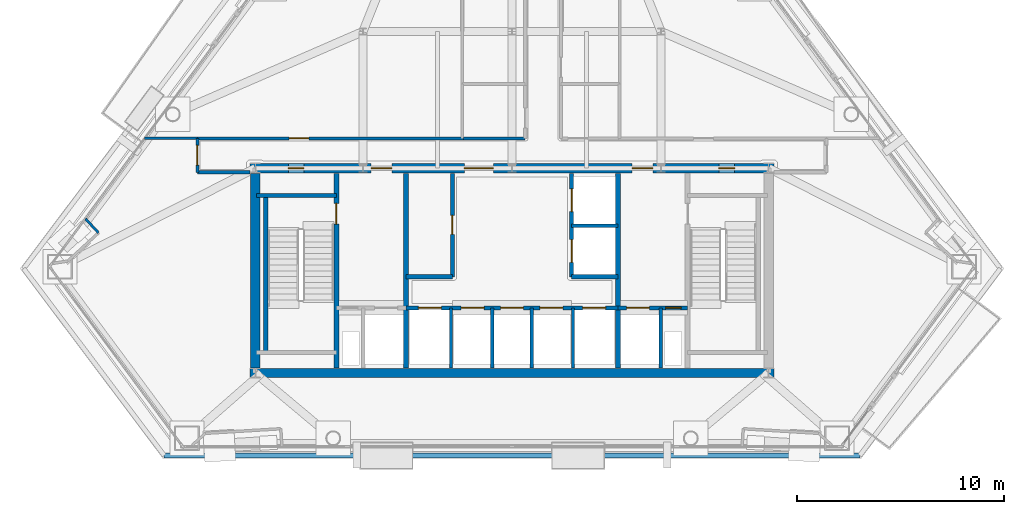
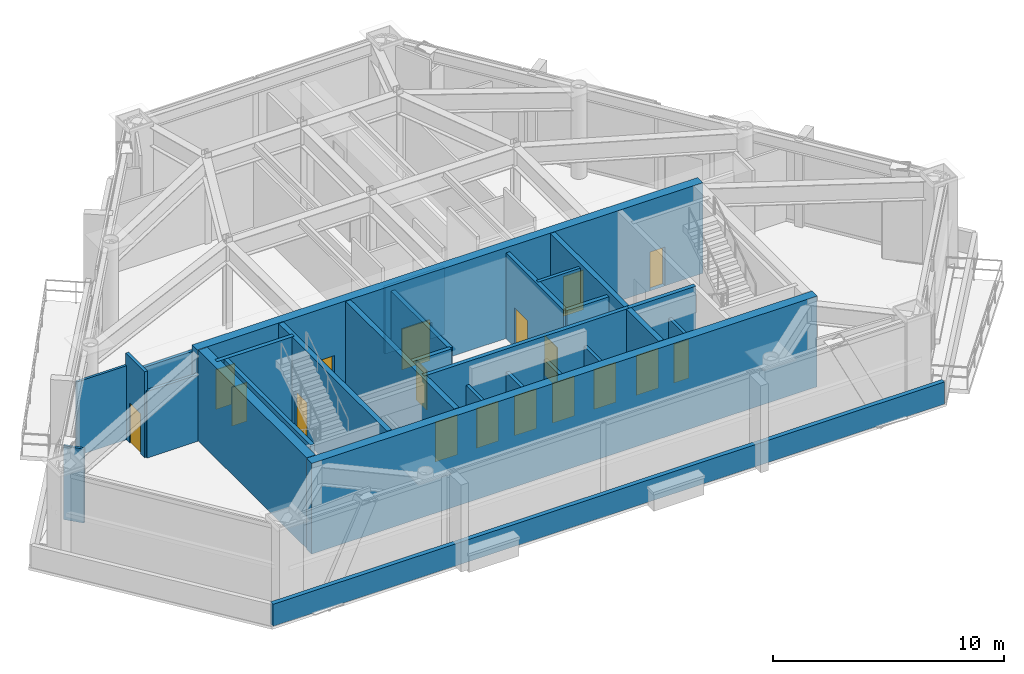
# One storey, part 5 of 9: 27 walls, 18 doors, 18 openings.
"""IFC4 building model written with IfcOpenShell, lengths in metres."""

from ifc_helpers import new_model, si_unit, direction, frame, frame_2d, origin, place, context, subcontext, project, spatial, rectangle, extrude, material, layer, layer_set, type_object, element, fill, save


model = new_model("IFC4")

# Units and contexts
model_context = context("Model", 3, precision=1e-05, world=origin(), true_north=direction((0.0, 1.0)))
body_context = subcontext(model_context, "Body", "Model", "MODEL_VIEW")
ifc_project = project(units=[si_unit("LENGTHUNIT", "METRE"), si_unit("AREAUNIT", "SQUARE_METRE"), si_unit("VOLUMEUNIT", "CUBIC_METRE"), si_unit("PLANEANGLEUNIT", "RADIAN"), si_unit("MASSUNIT", "GRAM", prefix="KILO")], contexts=[model_context])

# Site, building, storey
site_placement = place(None, origin())
site = spatial("IfcSite", under=ifc_project, at=site_placement, CompositionType="ELEMENT")
building_placement = place(site_placement, origin())
building = spatial("IfcBuilding", under=site, at=building_placement, Name="Talgorran Terracotta Tower", CompositionType="ELEMENT")
storey_placement = place(building_placement, frame((0.0, 0.0, 94.800048828125)))
storey = spatial("IfcBuildingStorey", under=building, at=storey_placement, Name="L24", CompositionType="ELEMENT", Elevation=94.800048828125)

# Walls
ifc_material_1 = material(Name="Concrete C50/60", Category="concrete")
ifc_layer_1 = layer(ifc_material_1, 0.199951171875, Name="WT_CORE_200")
ifc_layer_set_1 = layer_set([ifc_layer_1], Name="Concrete C50/60")
wall_type_1 = type_object("IfcWallType", Name="WT_CORE_200", PredefinedType="SOLIDWALL", material=ifc_layer_set_1)
wall_1_placement = place(storey_placement, frame((-12.35009765625, -5.52001953125, 0.0), z_axis=(0.0, 0.0, 1.0), x_axis=(1.0, 0.0, 0.0)))
element("IfcWall", 1, at=wall_1_placement, inside=storey, type_object=wall_type_1, Name="WL-L24-CW-ST1-N", PredefinedType="SOLIDWALL", context=body_context, shape_type="SweptSolid", body=[
    extrude(rectangle(XDim=3.8701171875, YDim=0.199951171875, at=frame_2d((1.93505859375, 0.0))), origin(), (0.0, 0.0, 1.0), 4.800048828125),
])
wall_2_placement = place(storey_placement, frame((-11.89990234375, -13.10009765625, 0.0), z_axis=(0.0, 0.0, 1.0), x_axis=(0.0, 1.0, 0.0)))
element("IfcWall", 2, at=wall_2_placement, inside=storey, type_object=wall_type_1, Name="WL-L24-CW-ST1-W", PredefinedType="SOLIDWALL", context=body_context, shape_type="SweptSolid", body=[
    extrude(rectangle(XDim=7.580078125, YDim=0.199951171875, at=frame_2d((3.7900390625, 0.0))), origin(), (0.0, 0.0, 1.0), 4.800048828125),
])

# Wall, openings, doors
wall_3_placement = place(storey_placement, frame((-5.1201171875, -10.949951171875, 0.0), z_axis=(0.0, 0.0, 1.0), x_axis=(1.0, 0.0, 0.0)))
wall_3 = element("IfcWall", 3, at=wall_3_placement, inside=storey, type_object=wall_type_1, Name="WL-L24-CW-H-SBC", PredefinedType="SOLIDWALL", context=body_context, shape_type="SweptSolid", body=[
    extrude(rectangle(XDim=10.240234375, YDim=0.199951171875, at=frame_2d((5.1201171875, 0.0))), origin(), (0.0, 0.0, 1.0), 4.800048828125),
])
opening_1_placement = place(wall_3_placement, frame((0.60009765625, 0.0, 0.0)))
opening_1 = element("IfcOpeningElement", 4, at=opening_1_placement, cuts=wall_3, Name="Opening LD-OB1", PredefinedType="OPENING", context=body_context, shape_type="SweptSolid", body=[
    extrude(rectangle(XDim=1.10609765625, YDim=2.10409765625, at=frame_2d((0.550048828125, 1.052001953125))), frame((0.0, 0.10986328125, 0.0), z_axis=(0.0, -1.0, 0.0), x_axis=(1.0, 0.0, 0.0)), (0.0, 0.0, 1.0), 0.219970703125),
])
opening_2_placement = place(wall_3_placement, frame((2.669921875, 0.0, 0.0)))
opening_2 = element("IfcOpeningElement", 5, at=opening_2_placement, cuts=wall_3, Name="Opening LD-PLH1", PredefinedType="OPENING", context=body_context, shape_type="SweptSolid", body=[
    extrude(rectangle(XDim=1.10609765625, YDim=2.10409765625, at=frame_2d((0.550048828125, 1.052001953125))), frame((0.0, 0.10986328125, 0.0), z_axis=(0.0, -1.0, 0.0), x_axis=(1.0, 0.0, 0.0)), (0.0, 0.0, 1.0), 0.219970703125),
])
opening_3_placement = place(wall_3_placement, frame((4.570068359375, 0.0, 0.0)))
opening_3 = element("IfcOpeningElement", 6, at=opening_3_placement, cuts=wall_3, Name="Opening LD-PLH2", PredefinedType="OPENING", context=body_context, shape_type="SweptSolid", body=[
    extrude(rectangle(XDim=1.10609765625, YDim=2.10409765625, at=frame_2d((0.550048828125, 1.052001953125))), frame((0.0, 0.10986328125, 0.0), z_axis=(0.0, -1.0, 0.0), x_axis=(1.0, 0.0, 0.0)), (0.0, 0.0, 1.0), 0.219970703125),
])
opening_4_placement = place(wall_3_placement, frame((6.469970703125, 0.0, 0.0)))
opening_4 = element("IfcOpeningElement", 7, at=opening_4_placement, cuts=wall_3, Name="Opening LD-PLH3", PredefinedType="OPENING", context=body_context, shape_type="SweptSolid", body=[
    extrude(rectangle(XDim=1.10609765625, YDim=2.10409765625, at=frame_2d((0.550048828125, 1.052001953125))), frame((0.0, 0.10986328125, 0.0), z_axis=(0.0, -1.0, 0.0), x_axis=(1.0, 0.0, 0.0)), (0.0, 0.0, 1.0), 0.219970703125),
])
opening_5_placement = place(wall_3_placement, frame((8.5400390625, 0.0, 0.0)))
opening_5 = element("IfcOpeningElement", 8, at=opening_5_placement, cuts=wall_3, Name="Opening LD-SVL1", PredefinedType="OPENING", context=body_context, shape_type="SweptSolid", body=[
    extrude(rectangle(XDim=1.10609765625, YDim=2.10409765625, at=frame_2d((0.550048828125, 1.052001953125))), frame((0.0, 0.10986328125, 0.0), z_axis=(0.0, -1.0, 0.0), x_axis=(1.0, 0.0, 0.0)), (0.0, 0.0, 1.0), 0.219970703125),
])
ifc_material_2 = material(Name="Brushed Stainless Steel Grade 304", Category="steel")
door_type_1 = type_object("IfcDoorType", Name="DT_LIFT_LD1100", OperationType="DOUBLE_DOOR_SLIDING", PredefinedType="DOOR", material=ifc_material_2)
door_1_placement = place(opening_1_placement, origin())
door_1 = element("IfcDoor", 9, at=door_1_placement, inside=storey, type_object=door_type_1, Name="L24 Lift Landing Door LD-OB1", OperationType="DOUBLE_DOOR_SLIDING", OverallHeight=2.10009765625, OverallWidth=1.10009765625, PredefinedType="DOOR", context=body_context, shape_type="SweptSolid", body=[
    extrude(rectangle(XDim=1.10009765625, YDim=2.10009765625, at=frame_2d((0.550048828125, 1.050048828125))), frame((0.0, 0.02490234375, 0.0), z_axis=(0.0, -1.0, 0.0), x_axis=(1.0, 0.0, 0.0)), (0.0, 0.0, 1.0), 0.050048828125),
])
fill(opening_1, door_1)
door_2_placement = place(opening_2_placement, origin())
door_2 = element("IfcDoor", 10, at=door_2_placement, inside=storey, type_object=door_type_1, Name="L24 Lift Landing Door LD-PLH1", OperationType="DOUBLE_DOOR_SLIDING", OverallHeight=2.10009765625, OverallWidth=1.10009765625, PredefinedType="DOOR", context=body_context, shape_type="SweptSolid", body=[
    extrude(rectangle(XDim=1.10009765625, YDim=2.10009765625, at=frame_2d((0.550048828125, 1.050048828125))), frame((0.0, 0.02490234375, 0.0), z_axis=(0.0, -1.0, 0.0), x_axis=(1.0, 0.0, 0.0)), (0.0, 0.0, 1.0), 0.050048828125),
])
fill(opening_2, door_2)
door_3_placement = place(opening_3_placement, origin())
door_3 = element("IfcDoor", 11, at=door_3_placement, inside=storey, type_object=door_type_1, Name="L24 Lift Landing Door LD-PLH2", OperationType="DOUBLE_DOOR_SLIDING", OverallHeight=2.10009765625, OverallWidth=1.10009765625, PredefinedType="DOOR", context=body_context, shape_type="SweptSolid", body=[
    extrude(rectangle(XDim=1.10009765625, YDim=2.10009765625, at=frame_2d((0.550048828125, 1.050048828125))), frame((0.0, 0.02490234375, 0.0), z_axis=(0.0, -1.0, 0.0), x_axis=(1.0, 0.0, 0.0)), (0.0, 0.0, 1.0), 0.050048828125),
])
fill(opening_3, door_3)
door_4_placement = place(opening_4_placement, origin())
door_4 = element("IfcDoor", 12, at=door_4_placement, inside=storey, type_object=door_type_1, Name="L24 Lift Landing Door LD-PLH3", OperationType="DOUBLE_DOOR_SLIDING", OverallHeight=2.10009765625, OverallWidth=1.10009765625, PredefinedType="DOOR", context=body_context, shape_type="SweptSolid", body=[
    extrude(rectangle(XDim=1.10009765625, YDim=2.10009765625, at=frame_2d((0.550048828125, 1.050048828125))), frame((0.0, 0.02490234375, 0.0), z_axis=(0.0, -1.0, 0.0), x_axis=(1.0, 0.0, 0.0)), (0.0, 0.0, 1.0), 0.050048828125),
])
fill(opening_4, door_4)
door_5_placement = place(opening_5_placement, origin())
door_5 = element("IfcDoor", 13, at=door_5_placement, inside=storey, type_object=door_type_1, Name="L24 Lift Landing Door LD-SVL1", OperationType="DOUBLE_DOOR_SLIDING", OverallHeight=2.10009765625, OverallWidth=1.10009765625, PredefinedType="DOOR", context=body_context, shape_type="SweptSolid", body=[
    extrude(rectangle(XDim=1.10009765625, YDim=2.10009765625, at=frame_2d((0.550048828125, 1.050048828125))), frame((0.0, 0.02490234375, 0.0), z_axis=(0.0, -1.0, 0.0), x_axis=(1.0, 0.0, 0.0)), (0.0, 0.0, 1.0), 0.050048828125),
])
fill(opening_5, door_5)

wall_4_placement = place(storey_placement, frame((5.1201171875, -10.949951171875, 0.0), z_axis=(0.0, 0.0, 1.0), x_axis=(1.0, 0.0, 0.0)))
wall_4 = element("IfcWall", 14, at=wall_4_placement, inside=storey, type_object=wall_type_1, Name="WL-L24-CW-H-SBE", PredefinedType="SOLIDWALL", context=body_context, shape_type="SweptSolid", body=[
    extrude(rectangle(XDim=3.35986328125, YDim=0.199951171875, at=frame_2d((1.679931640625, 0.0))), origin(), (0.0, 0.0, 1.0), 4.800048828125),
])
opening_6_placement = place(wall_4_placement, frame((0.419921875, 0.0, 0.0)))
opening_6 = element("IfcOpeningElement", 15, at=opening_6_placement, cuts=wall_4, Name="Opening LD-FFL2", PredefinedType="OPENING", context=body_context, shape_type="SweptSolid", body=[
    extrude(rectangle(XDim=1.10609765625, YDim=2.10409765625, at=frame_2d((0.550048828125, 1.052001953125))), frame((0.0, 0.10986328125, 0.0), z_axis=(0.0, -1.0, 0.0), x_axis=(1.0, 0.0, 0.0)), (0.0, 0.0, 1.0), 0.219970703125),
])
opening_7_placement = place(wall_4_placement, frame((2.300048828125, 0.0, 0.0)))
opening_7 = element("IfcOpeningElement", 16, at=opening_7_placement, cuts=wall_4, Name="Opening DR-RSE", PredefinedType="OPENING", context=body_context, shape_type="SweptSolid", body=[
    extrude(rectangle(XDim=0.756, YDim=2.054048828125, at=frame_2d((0.375, 1.027099609375))), frame((0.0, 0.10986328125, 0.0), z_axis=(0.0, -1.0, 0.0), x_axis=(1.0, 0.0, 0.0)), (0.0, 0.0, 1.0), 0.219970703125),
])
door_6_placement = place(opening_6_placement, origin())
door_6 = element("IfcDoor", 17, at=door_6_placement, inside=storey, type_object=door_type_1, Name="L24 Lift Landing Door LD-FFL2", OperationType="DOUBLE_DOOR_SLIDING", OverallHeight=2.10009765625, OverallWidth=1.10009765625, PredefinedType="DOOR", context=body_context, shape_type="SweptSolid", body=[
    extrude(rectangle(XDim=1.10009765625, YDim=2.10009765625, at=frame_2d((0.550048828125, 1.050048828125))), frame((0.0, 0.02490234375, 0.0), z_axis=(0.0, -1.0, 0.0), x_axis=(1.0, 0.0, 0.0)), (0.0, 0.0, 1.0), 0.050048828125),
])
fill(opening_6, door_6)
ifc_material_3 = material(Name="Fire-Rated Pressed Steel", Category="steel")
door_type_2 = type_object("IfcDoorType", Name="DT_RISER_750", OperationType="NOTDEFINED", PredefinedType="DOOR", material=ifc_material_3)
door_7_placement = place(opening_7_placement, origin())
door_7 = element("IfcDoor", 18, at=door_7_placement, inside=storey, type_object=door_type_2, Name="DR-RSE", OperationType="SINGLE_SWING_RIGHT", OverallHeight=2.050048828125, OverallWidth=0.75, PredefinedType="DOOR", context=body_context, shape_type="SweptSolid", body=[
    extrude(rectangle(XDim=0.75, YDim=2.050048828125, at=frame_2d((0.375, 1.02490234375))), frame((0.0, 0.02490234375, 0.0), z_axis=(0.0, -1.0, 0.0), x_axis=(1.0, 0.0, 0.0)), (0.0, 0.0, 1.0), 0.050048828125),
])
fill(opening_7, door_7)

# Wall, opening, door
wall_5_placement = place(storey_placement, frame((-2.8798828125, -9.449951171875, 0.0), z_axis=(0.0, 0.0, 1.0), x_axis=(0.0, 1.0, 0.0)))
wall_5 = element("IfcWall", 19, at=wall_5_placement, inside=storey, type_object=wall_type_1, Name="WL-L24-CW-V-W3", PredefinedType="SOLIDWALL", context=body_context, shape_type="SweptSolid", body=[
    extrude(rectangle(XDim=5.0, YDim=0.199951171875, at=frame_2d((2.5, 0.0))), origin(), (0.0, 0.0, 1.0), 4.550048828125),
])
opening_8_placement = place(wall_5_placement, frame((2.050048828125, 0.0, 0.0)))
opening_8 = element("IfcOpeningElement", 20, at=opening_8_placement, cuts=wall_5, Name="Opening DR-FRPLL-A", PredefinedType="OPENING", context=body_context, shape_type="SweptSolid", body=[
    extrude(rectangle(XDim=0.925921875, YDim=2.10409765625, at=frame_2d((0.4599609375, 1.052001953125))), frame((0.0, 0.10986328125, 0.0), z_axis=(0.0, -1.0, 0.0), x_axis=(1.0, 0.0, 0.0)), (0.0, 0.0, 1.0), 0.219970703125),
])
ifc_material_4 = material(Name="Solid-Core Painted Timber", Category="wood")
door_type_3 = type_object("IfcDoorType", Name="DT_INT_920", OperationType="NOTDEFINED", PredefinedType="DOOR", material=ifc_material_4)
door_8_placement = place(opening_8_placement, origin())
door_8 = element("IfcDoor", 21, at=door_8_placement, inside=storey, type_object=door_type_3, Name="DR-FRPLL-A", OperationType="SINGLE_SWING_LEFT", OverallHeight=2.10009765625, OverallWidth=0.919921875, PredefinedType="DOOR", context=body_context, shape_type="SweptSolid", body=[
    extrude(rectangle(XDim=0.919921875, YDim=2.10009765625, at=frame_2d((0.4599609375, 1.050048828125))), frame((0.0, 0.02490234375, 0.0), z_axis=(0.0, -1.0, 0.0), x_axis=(1.0, 0.0, 0.0)), (0.0, 0.0, 1.0), 0.050048828125),
])
fill(opening_8, door_8)

# Wall
wall_6_placement = place(storey_placement, frame((-5.1201171875, -9.449951171875, 0.0), z_axis=(0.0, 0.0, 1.0), x_axis=(1.0, 0.0, 0.0)))
element("IfcWall", 22, at=wall_6_placement, inside=storey, type_object=wall_type_1, Name="WL-L24-CW-H-W4", PredefinedType="SOLIDWALL", context=body_context, shape_type="SweptSolid", body=[
    extrude(rectangle(XDim=2.240234375, YDim=0.199951171875, at=frame_2d((1.1201171875, 0.0))), origin(), (0.0, 0.0, 1.0), 4.550048828125),
])

# Wall, openings, doors
wall_7_placement = place(storey_placement, frame((2.8798828125, -9.449951171875, 0.0), z_axis=(0.0, 0.0, 1.0), x_axis=(0.0, 1.0, 0.0)))
wall_7 = element("IfcWall", 23, at=wall_7_placement, inside=storey, type_object=wall_type_1, Name="WL-L24-CW-V-E3", PredefinedType="SOLIDWALL", context=body_context, shape_type="SweptSolid", body=[
    extrude(rectangle(XDim=5.0, YDim=0.199951171875, at=frame_2d((2.5, 0.0))), origin(), (0.0, 0.0, 1.0), 4.550048828125),
])
opening_9_placement = place(wall_7_placement, frame((0.699951171875, 0.0, 0.0)))
opening_9 = element("IfcOpeningElement", 24, at=opening_9_placement, cuts=wall_7, Name="Opening LD-PLM1", PredefinedType="OPENING", context=body_context, shape_type="SweptSolid", body=[
    extrude(rectangle(XDim=1.10609765625, YDim=2.10409765625, at=frame_2d((0.550048828125, 1.052001953125))), frame((0.0, 0.10986328125, 0.0), z_axis=(0.0, -1.0, 0.0), x_axis=(1.0, 0.0, 0.0)), (0.0, 0.0, 1.0), 0.219970703125),
])
opening_10_placement = place(wall_7_placement, frame((3.14990234375, 0.0, 0.0)))
opening_10 = element("IfcOpeningElement", 25, at=opening_10_placement, cuts=wall_7, Name="Opening LD-PLM2", PredefinedType="OPENING", context=body_context, shape_type="SweptSolid", body=[
    extrude(rectangle(XDim=1.10609765625, YDim=2.10409765625, at=frame_2d((0.550048828125, 1.052001953125))), frame((0.0, 0.10986328125, 0.0), z_axis=(0.0, -1.0, 0.0), x_axis=(1.0, 0.0, 0.0)), (0.0, 0.0, 1.0), 0.219970703125),
])
door_9_placement = place(opening_9_placement, origin())
door_9 = element("IfcDoor", 26, at=door_9_placement, inside=storey, type_object=door_type_1, Name="L24 Lift Landing Door LD-PLM1", OperationType="DOUBLE_DOOR_SLIDING", OverallHeight=2.10009765625, OverallWidth=1.10009765625, PredefinedType="DOOR", context=body_context, shape_type="SweptSolid", body=[
    extrude(rectangle(XDim=1.10009765625, YDim=2.10009765625, at=frame_2d((0.550048828125, 1.050048828125))), frame((0.0, 0.02490234375, 0.0), z_axis=(0.0, -1.0, 0.0), x_axis=(1.0, 0.0, 0.0)), (0.0, 0.0, 1.0), 0.050048828125),
])
fill(opening_9, door_9)
door_10_placement = place(opening_10_placement, origin())
door_10 = element("IfcDoor", 27, at=door_10_placement, inside=storey, type_object=door_type_1, Name="L24 Lift Landing Door LD-PLM2", OperationType="DOUBLE_DOOR_SLIDING", OverallHeight=2.10009765625, OverallWidth=1.10009765625, PredefinedType="DOOR", context=body_context, shape_type="SweptSolid", body=[
    extrude(rectangle(XDim=1.10009765625, YDim=2.10009765625, at=frame_2d((0.550048828125, 1.050048828125))), frame((0.0, 0.02490234375, 0.0), z_axis=(0.0, -1.0, 0.0), x_axis=(1.0, 0.0, 0.0)), (0.0, 0.0, 1.0), 0.050048828125),
])
fill(opening_10, door_10)

# Wall
wall_8_placement = place(storey_placement, frame((2.8798828125, -9.449951171875, 0.0), z_axis=(0.0, 0.0, 1.0), x_axis=(1.0, 0.0, 0.0)))
element("IfcWall", 28, at=wall_8_placement, inside=storey, type_object=wall_type_1, Name="WL-L24-CW-H-E4", PredefinedType="SOLIDWALL", context=body_context, shape_type="SweptSolid", body=[
    extrude(rectangle(XDim=2.240234375, YDim=0.199951171875, at=frame_2d((1.1201171875, 0.0))), origin(), (0.0, 0.0, 1.0), 4.550048828125),
])

# Wall, opening, door
ifc_layer_2 = layer(ifc_material_1, 0.25, Name="WT_CORE_250")
ifc_layer_set_2 = layer_set([ifc_layer_2], Name="Concrete C50/60")
wall_type_2 = type_object("IfcWallType", Name="WT_CORE_250", PredefinedType="SHEAR", material=ifc_layer_set_2)
wall_9_placement = place(storey_placement, frame((-8.47998046875, -13.85009765625, 0.0), z_axis=(0.0, 0.0, 1.0), x_axis=(0.0, 1.0, 0.0)))
wall_9 = element("IfcWall", 29, at=wall_9_placement, inside=storey, type_object=wall_type_2, Name="WL-L24-CW-V-W1", PredefinedType="SHEAR", context=body_context, shape_type="SweptSolid", body=[
    extrude(rectangle(XDim=9.400146484375, YDim=0.25, at=frame_2d((4.7001953125, 0.0))), origin(), (0.0, 0.0, 1.0), 4.800048828125),
])
opening_11_placement = place(wall_9_placement, frame((6.949951171875, 0.0, 0.0)))
opening_11 = element("IfcOpeningElement", 30, at=opening_11_placement, cuts=wall_9, Name="Opening DR-ST01", PredefinedType="OPENING", context=body_context, shape_type="SweptSolid", body=[
    extrude(rectangle(XDim=1.006, YDim=2.10409765625, at=frame_2d((0.5, 1.052001953125))), frame((0.0, 0.135009765625, 0.0), z_axis=(0.0, -1.0, 0.0), x_axis=(1.0, 0.0, 0.0)), (0.0, 0.0, 1.0), 0.27001953125),
])
door_type_4 = type_object("IfcDoorType", Name="DT_FIRE_1000", OperationType="NOTDEFINED", PredefinedType="DOOR", material=ifc_material_3)
door_11_placement = place(opening_11_placement, origin())
door_11 = element("IfcDoor", 31, at=door_11_placement, inside=storey, type_object=door_type_4, Name="DR-ST01", OperationType="SINGLE_SWING_LEFT", OverallHeight=2.10009765625, OverallWidth=1.0, PredefinedType="DOOR", context=body_context, shape_type="SweptSolid", body=[
    extrude(rectangle(XDim=1.0, YDim=2.10009765625, at=frame_2d((0.5, 1.050048828125))), frame((0.0, 0.02490234375, 0.0), z_axis=(0.0, -1.0, 0.0), x_axis=(1.0, 0.0, 0.0)), (0.0, 0.0, 1.0), 0.050048828125),
])
fill(opening_11, door_11)

# Walls
for number, where, z_axis, x_axis, name in (
    (32, (-5.1201171875, -13.85009765625, 0.0), (0.0, 0.0, 1.0), (0.0, 1.0, 0.0), "WL-L24-CW-V-W2"),
    (33, (5.1201171875, -13.85009765625, 0.0), (0.0, 0.0, 1.0), (0.0, 1.0, 0.0), "WL-L24-CW-V-E2"),
):
    element("IfcWall", number, at=place(storey_placement, frame(where, z_axis=z_axis, x_axis=x_axis)), inside=storey, type_object=wall_type_2, Name=name, PredefinedType="SHEAR", context=body_context, shape_type="SweptSolid", body=[
        extrude(rectangle(XDim=9.400146484375, YDim=0.25, at=frame_2d((4.7001953125, 0.0))), origin(), (0.0, 0.0, 1.0), 4.800048828125),
    ])
ifc_material_5 = material(Name="Concrete C65/80", Category="concrete")
ifc_layer_3 = layer(ifc_material_5, 0.449951171875, Name="WT_CORE_EXT")
ifc_layer_set_3 = layer_set([ifc_layer_3], Name="Concrete C65/80")
wall_type_3 = type_object("IfcWallType", Name="WT_CORE_EXT", PredefinedType="SHEAR", material=ifc_layer_set_3)
wall_10_placement = place(storey_placement, frame((-12.64990234375, -14.10009765625, 0.0), z_axis=(0.0, 0.0, 1.0), x_axis=(1.0, 0.0, 0.0)))
element("IfcWall", 34, at=wall_10_placement, inside=storey, type_object=wall_type_3, Name="WL-L24-CW-OUT-S", PredefinedType="SHEAR", context=body_context, shape_type="SweptSolid", body=[
    extrude(rectangle(XDim=25.2998046875, YDim=0.449951171875, at=frame_2d((12.64990234375, 0.0))), origin(), (0.0, 0.0, 1.0), 4.800048828125),
])

# Wall, openings, doors
wall_11_placement = place(storey_placement, frame((-12.64990234375, -4.199951171875, 0.0), z_axis=(0.0, 0.0, 1.0), x_axis=(1.0, 0.0, 0.0)))
wall_11 = element("IfcWall", 35, at=wall_11_placement, inside=storey, type_object=wall_type_3, Name="WL-L24-CW-OUT-N", PredefinedType="SHEAR", context=body_context, shape_type="SweptSolid", body=[
    extrude(rectangle(XDim=25.2998046875, YDim=0.449951171875, at=frame_2d((12.64990234375, 0.0))), origin(), (0.0, 0.0, 1.0), 4.800048828125),
])
opening_12_placement = place(wall_11_placement, frame((1.85009765625, 0.0, 0.0)))
opening_12 = element("IfcOpeningElement", 36, at=opening_12_placement, cuts=wall_11, Name="Opening DR-CSN1", PredefinedType="OPENING", context=body_context, shape_type="SweptSolid", body=[
    extrude(rectangle(XDim=0.756, YDim=2.054048828125, at=frame_2d((0.375, 1.027099609375))), frame((0.0, 0.23486328125, 0.0), z_axis=(0.0, -1.0, 0.0), x_axis=(1.0, 0.0, 0.0)), (0.0, 0.0, 1.0), 0.469970703125),
])
opening_13_placement = place(wall_11_placement, frame((22.64990234375, 0.0, 0.0)))
opening_13 = element("IfcOpeningElement", 37, at=opening_13_placement, cuts=wall_11, Name="Opening DR-CSN2", PredefinedType="OPENING", context=body_context, shape_type="SweptSolid", body=[
    extrude(rectangle(XDim=0.756, YDim=2.054048828125, at=frame_2d((0.375, 1.027099609375))), frame((0.0, 0.23486328125, 0.0), z_axis=(0.0, -1.0, 0.0), x_axis=(1.0, 0.0, 0.0)), (0.0, 0.0, 1.0), 0.469970703125),
])
opening_14_placement = place(wall_11_placement, frame((5.85009765625, 0.0, 0.0)))
opening_14 = element("IfcOpeningElement", 38, at=opening_14_placement, cuts=wall_11, Name="Opening DR-FFLW-N", PredefinedType="OPENING", context=body_context, shape_type="SweptSolid", body=[
    extrude(rectangle(XDim=1.006, YDim=2.10409765625, at=frame_2d((0.5, 1.052001953125))), frame((0.0, 0.23486328125, 0.0), z_axis=(0.0, -1.0, 0.0), x_axis=(1.0, 0.0, 0.0)), (0.0, 0.0, 1.0), 0.469970703125),
])
opening_15_placement = place(wall_11_placement, frame((10.35009765625, 0.0, 0.0)))
opening_15 = element("IfcOpeningElement", 39, at=opening_15_placement, cuts=wall_11, Name="Opening DR-PLL-N", PredefinedType="OPENING", context=body_context, shape_type="SweptSolid", body=[
    extrude(rectangle(XDim=1.40590234375, YDim=2.15390234375, at=frame_2d((0.699951171875, 1.076904296875))), frame((0.0, 0.23486328125, 0.0), z_axis=(0.0, -1.0, 0.0), x_axis=(1.0, 0.0, 0.0)), (0.0, 0.0, 1.0), 0.469970703125),
])
opening_16_placement = place(wall_11_placement, frame((18.449951171875, 0.0, 0.0)))
opening_16 = element("IfcOpeningElement", 40, at=opening_16_placement, cuts=wall_11, Name="Opening DR-FFLE-N", PredefinedType="OPENING", context=body_context, shape_type="SweptSolid", body=[
    extrude(rectangle(XDim=1.006, YDim=2.10409765625, at=frame_2d((0.5, 1.052001953125))), frame((0.0, 0.23486328125, 0.0), z_axis=(0.0, -1.0, 0.0), x_axis=(1.0, 0.0, 0.0)), (0.0, 0.0, 1.0), 0.469970703125),
])
ifc_material_6 = material(Name="Acoustic Glazed Timber", Category="wood")
door_type_5 = type_object("IfcDoorType", Name="DT_DOUBLE_1400", OperationType="DOUBLE_DOOR_SINGLE_SWING", PredefinedType="DOOR", material=ifc_material_6)
door_12_placement = place(opening_15_placement, origin())
door_12 = element("IfcDoor", 41, at=door_12_placement, inside=storey, type_object=door_type_5, Name="DR-PLL-N", OperationType="DOUBLE_DOOR_SINGLE_SWING", OverallHeight=2.14990234375, OverallWidth=1.39990234375, PredefinedType="DOOR", context=body_context, shape_type="SweptSolid", body=[
    extrude(rectangle(XDim=1.39990234375, YDim=2.14990234375, at=frame_2d((0.699951171875, 1.074951171875))), frame((0.0, 0.02490234375, 0.0), z_axis=(0.0, -1.0, 0.0), x_axis=(1.0, 0.0, 0.0)), (0.0, 0.0, 1.0), 0.050048828125),
])
fill(opening_15, door_12)
door_13_placement = place(opening_14_placement, origin())
door_13 = element("IfcDoor", 42, at=door_13_placement, inside=storey, type_object=door_type_4, Name="DR-FFLW-N", OperationType="SINGLE_SWING_LEFT", OverallHeight=2.10009765625, OverallWidth=1.0, PredefinedType="DOOR", context=body_context, shape_type="SweptSolid", body=[
    extrude(rectangle(XDim=1.0, YDim=2.10009765625, at=frame_2d((0.5, 1.050048828125))), frame((0.0, 0.02490234375, 0.0), z_axis=(0.0, -1.0, 0.0), x_axis=(1.0, 0.0, 0.0)), (0.0, 0.0, 1.0), 0.050048828125),
])
fill(opening_14, door_13)
door_14_placement = place(opening_16_placement, origin())
door_14 = element("IfcDoor", 43, at=door_14_placement, inside=storey, type_object=door_type_4, Name="DR-FFLE-N", OperationType="SINGLE_SWING_RIGHT", OverallHeight=2.10009765625, OverallWidth=1.0, PredefinedType="DOOR", context=body_context, shape_type="SweptSolid", body=[
    extrude(rectangle(XDim=1.0, YDim=2.10009765625, at=frame_2d((0.5, 1.050048828125))), frame((0.0, 0.02490234375, 0.0), z_axis=(0.0, -1.0, 0.0), x_axis=(1.0, 0.0, 0.0)), (0.0, 0.0, 1.0), 0.050048828125),
])
fill(opening_16, door_14)
door_15_placement = place(opening_12_placement, origin())
door_15 = element("IfcDoor", 44, at=door_15_placement, inside=storey, type_object=door_type_2, Name="DR-CSN1", OperationType="SINGLE_SWING_LEFT", OverallHeight=2.050048828125, OverallWidth=0.75, PredefinedType="DOOR", context=body_context, shape_type="SweptSolid", body=[
    extrude(rectangle(XDim=0.75, YDim=2.050048828125, at=frame_2d((0.375, 1.02490234375))), frame((0.0, 0.02490234375, 0.0), z_axis=(0.0, -1.0, 0.0), x_axis=(1.0, 0.0, 0.0)), (0.0, 0.0, 1.0), 0.050048828125),
])
fill(opening_12, door_15)
door_16_placement = place(opening_13_placement, origin())
door_16 = element("IfcDoor", 45, at=door_16_placement, inside=storey, type_object=door_type_2, Name="DR-CSN2", OperationType="SINGLE_SWING_RIGHT", OverallHeight=2.050048828125, OverallWidth=0.75, PredefinedType="DOOR", context=body_context, shape_type="SweptSolid", body=[
    extrude(rectangle(XDim=0.75, YDim=2.050048828125, at=frame_2d((0.375, 1.02490234375))), frame((0.0, 0.02490234375, 0.0), z_axis=(0.0, -1.0, 0.0), x_axis=(1.0, 0.0, 0.0)), (0.0, 0.0, 1.0), 0.050048828125),
])
fill(opening_13, door_16)

# Wall
wall_12_placement = place(storey_placement, frame((-12.39990234375, -13.85009765625, 0.0), z_axis=(0.0, 0.0, 1.0), x_axis=(0.0, 1.0, 0.0)))
element("IfcWall", 46, at=wall_12_placement, inside=storey, type_object=wall_type_3, Name="WL-L24-CW-OUT-W", PredefinedType="SHEAR", context=body_context, shape_type="SweptSolid", body=[
    extrude(rectangle(XDim=9.400146484375, YDim=0.449951171875, at=frame_2d((4.7001953125, 0.0))), origin(), (0.0, 0.0, 1.0), 4.800048828125),
])

# Wall, opening, door
ifc_material_7 = material(Name="Fire-Rated Steel Stud Plasterboard", Category="steel")
ifc_layer_4 = layer(ifc_material_7, 0.14990234375, Name="WT_FIRE_150")
ifc_layer_set_4 = layer_set([ifc_layer_4], Name="Fire-Rated Steel Stud Plasterboard")
wall_type_4 = type_object("IfcWallType", Name="WT_FIRE_150", PredefinedType="PARTITIONING", material=ifc_layer_set_4)
wall_13_placement = place(storey_placement, frame((-15.199951171875, -2.760009765625, 0.0), z_axis=(0.0, 0.0, 1.0), x_axis=(1.0, 0.0, 0.0)))
wall_13 = element("IfcWall", 47, at=wall_13_placement, inside=storey, type_object=wall_type_4, Name="WL-L24-W-L24-R09", PredefinedType="PARTITIONING", context=body_context, shape_type="SweptSolid", body=[
    extrude(rectangle(XDim=12.85986328125, YDim=0.14990234375, at=frame_2d((6.429931640625, 0.0))), origin(), (0.0, 0.0, 1.0), 3.52490234375),
])
opening_17_placement = place(wall_13_placement, frame((4.436279296875, 0.0, 0.0)))
opening_17 = element("IfcOpeningElement", 48, at=opening_17_placement, cuts=wall_13, Name="Opening DR-L24-R05", PredefinedType="OPENING", context=body_context, shape_type="SweptSolid", body=[
    extrude(rectangle(XDim=0.955951171875, YDim=2.10409765625, at=frame_2d((0.47509765625, 1.052001953125))), frame((0.0, 0.0849609375, 0.0), z_axis=(0.0, -1.0, 0.0), x_axis=(1.0, 0.0, 0.0)), (0.0, 0.0, 1.0), 0.169921875),
])
ifc_material_8 = material(Name="Fire-Rated Timber Core", Category="wood")
door_type_6 = type_object("IfcDoorType", Name="DT_FIRE_950", OperationType="NOTDEFINED", PredefinedType="DOOR", material=ifc_material_8)
door_17_placement = place(opening_17_placement, origin())
door_17 = element("IfcDoor", 49, at=door_17_placement, inside=storey, type_object=door_type_6, Name="DR-L24-R05", OperationType="SINGLE_SWING_LEFT", OverallHeight=2.10009765625, OverallWidth=0.949951171875, PredefinedType="DOOR", context=body_context, shape_type="SweptSolid", body=[
    extrude(rectangle(XDim=0.949951171875, YDim=2.10009765625, at=frame_2d((0.47509765625, 1.050048828125))), frame((0.0, 0.02490234375, 0.0), z_axis=(0.0, -1.0, 0.0), x_axis=(1.0, 0.0, 0.0)), (0.0, 0.0, 1.0), 0.050048828125),
])
fill(opening_17, door_17)

# Walls
wall_14_placement = place(storey_placement, frame((-2.337890625, -2.760009765625, 0.0), z_axis=(0.0, 0.0, 1.0), x_axis=(1.0, 0.0, 0.0)))
element("IfcWall", 50, at=wall_14_placement, inside=storey, type_object=wall_type_4, Name="WL-L24-W-L24-R07", PredefinedType="PARTITIONING", context=body_context, shape_type="SweptSolid", body=[
    extrude(rectangle(XDim=2.977783203125, YDim=0.14990234375, at=frame_2d((1.48876953125, 0.0))), origin(), (0.0, 0.0, 1.0), 3.52490234375),
])
wall_15_placement = place(storey_placement, frame((-15.199951171875, -4.39990234375, 0.0), z_axis=(0.0, 0.0, 1.0), x_axis=(1.0, 0.0, 0.0)))
element("IfcWall", 51, at=wall_15_placement, inside=storey, type_object=wall_type_4, Name="WL-L24-W-L24-R02", PredefinedType="PARTITIONING", context=body_context, shape_type="SweptSolid", body=[
    extrude(rectangle(XDim=2.5478515625, YDim=0.14990234375, at=frame_2d((1.27392578125, 0.0))), origin(), (0.0, 0.0, 1.0), 3.52490234375),
])

# Wall, opening, door
wall_16_placement = place(storey_placement, frame((-15.199951171875, -4.39990234375, 0.0), z_axis=(0.0, 0.0, 1.0), x_axis=(0.0, 1.0, 0.0)))
wall_16 = element("IfcWall", 52, at=wall_16_placement, inside=storey, type_object=wall_type_4, Name="WL-L24-W-L24-R01", PredefinedType="PARTITIONING", context=body_context, shape_type="SweptSolid", body=[
    extrude(rectangle(XDim=1.639892578125, YDim=0.14990234375, at=frame_2d((0.81982421875, 0.0))), origin(), (0.0, 0.0, 1.0), 4.550048828125),
])
opening_18_placement = place(wall_16_placement, frame((0.344970703125, 0.0, 0.0)))
opening_18 = element("IfcOpeningElement", 53, at=opening_18_placement, cuts=wall_16, Name="Opening DR-L24-R01", PredefinedType="OPENING", context=body_context, shape_type="SweptSolid", body=[
    extrude(rectangle(XDim=0.955951171875, YDim=2.10409765625, at=frame_2d((0.47509765625, 1.052001953125))), frame((0.0, 0.0849609375, 0.0), z_axis=(0.0, -1.0, 0.0), x_axis=(1.0, 0.0, 0.0)), (0.0, 0.0, 1.0), 0.169921875),
])
door_18_placement = place(opening_18_placement, origin())
door_18 = element("IfcDoor", 54, at=door_18_placement, inside=storey, type_object=door_type_6, Name="DR-L24-R01", OperationType="SINGLE_SWING_LEFT", OverallHeight=2.10009765625, OverallWidth=0.949951171875, PredefinedType="DOOR", context=body_context, shape_type="SweptSolid", body=[
    extrude(rectangle(XDim=0.949951171875, YDim=2.10009765625, at=frame_2d((0.47509765625, 1.050048828125))), frame((0.0, 0.02490234375, 0.0), z_axis=(0.0, -1.0, 0.0), x_axis=(1.0, 0.0, 0.0)), (0.0, 0.0, 1.0), 0.050048828125),
])
fill(opening_18, door_18)

# Walls
ifc_material_9 = material(Name="Concrete C40/50", Category="concrete")
ifc_layer_5 = layer(ifc_material_9, 0.219970703125, Name="WT_PARAPET_RC")
ifc_layer_set_5 = layer_set([ifc_layer_5], Name="Concrete C40/50")
wall_type_5 = type_object("IfcWallType", Name="WT_PARAPET_RC", PredefinedType="PARAPET", material=ifc_layer_set_5)
wall_17_placement = place(storey_placement, frame((-16.803466796875, -18.082275390625, -0.02001953125), z_axis=(0.0, 0.0, 1.0), x_axis=(1.0, 0.0, 0.0)))
element("IfcWall", 55, at=wall_17_placement, inside=storey, type_object=wall_type_5, Name="WL-L24-PARAPET-2", PredefinedType="PARAPET", context=body_context, shape_type="SweptSolid", body=[
    extrude(rectangle(XDim=33.60693359375, YDim=0.219970703125, at=frame_2d((16.803466796875, 0.0))), origin(), (0.0, 0.0, 1.0), 1.169921875),
])
ifc_material_10 = material(Name="Insulated Steel Stud Plasterboard", Category="steel")
ifc_layer_6 = layer(ifc_material_10, 0.1201171875, Name="WT_PART_120")
ifc_layer_set_6 = layer_set([ifc_layer_6], Name="Insulated Steel Stud Plasterboard")
wall_type_6 = type_object("IfcWallType", Name="WT_PART_120", PredefinedType="PARTITIONING", material=ifc_layer_set_6)
wall_18_placement = place(storey_placement, frame((-17.748779296875, -2.760009765625, 0.0), z_axis=(0.0, 0.0, 1.0), x_axis=(1.0, 0.0, 0.0)))
element("IfcWall", 56, at=wall_18_placement, inside=storey, type_object=wall_type_6, Name="WL-L24-W-L24-R15", PredefinedType="PARTITIONING", context=body_context, shape_type="SweptSolid", body=[
    extrude(rectangle(XDim=2.548828125, YDim=0.1201171875, at=frame_2d((1.2744140625, 0.0))), origin(), (0.0, 0.0, 1.0), 3.913330078125),
])
wall_19_placement = place(storey_placement, frame((-20.609375, -6.63916015625, 0.0), z_axis=(0.0, 0.0, 1.0), x_axis=(0.677725423192, -0.735315069041, 0.0)))
element("IfcWall", 57, at=wall_19_placement, inside=storey, type_object=wall_type_6, Name="WL-L24-BW-L24-07", PredefinedType="PARTITIONING", context=body_context, shape_type="SweptSolid", body=[
    extrude(rectangle(XDim=0.9326171875, YDim=0.1201171875, at=frame_2d((0.46630859375, 0.0))), origin(), (0.0, 0.0, 1.0), 3.913330078125),
])
ifc_material_11 = material(Name="Fire-Rated Shaftwall")
ifc_layer_7 = layer(ifc_material_11, 0.159912109375, Name="WT_PART_150")
ifc_layer_set_7 = layer_set([ifc_layer_7], Name="Fire-Rated Shaftwall")
wall_type_7 = type_object("IfcWallType", Name="WT_PART_150", PredefinedType="PARTITIONING", material=ifc_layer_set_7)
wall_20_placement = place(storey_placement, frame((2.8798828125, -6.97998046875, 0.0), z_axis=(0.0, 0.0, 1.0), x_axis=(1.0, 0.0, 0.0)))
element("IfcWall", 58, at=wall_20_placement, inside=storey, type_object=wall_type_7, Name="WL-L24-CW-PLM-DIV", PredefinedType="PARTITIONING", context=body_context, shape_type="SweptSolid", body=[
    extrude(rectangle(XDim=2.240234375, YDim=0.159912109375, at=frame_2d((1.1201171875, 0.0))), origin(), (0.0, 0.0, 1.0), 4.550048828125),
])
for number, where, z_axis, x_axis, name in (
    (59, (7.179931640625, -13.85009765625, 0.0), (0.0, 0.0, 1.0), (0.0, 1.0, 0.0), "WL-L24-CW-RSE"),
    (60, (-2.949951171875, -13.85009765625, 0.0), (0.0, 0.0, 1.0), (0.0, 1.0, 0.0), "WL-L24-CW-OB-E"),
    (61, (2.949951171875, -13.85009765625, 0.0), (0.0, 0.0, 1.0), (0.0, 1.0, 0.0), "WL-L24-CW-SV-W"),
    (62, (-0.949951171875, -13.85009765625, 0.0), (0.0, 0.0, 1.0), (0.0, 1.0, 0.0), "WL-L24-CW-PLH-D1"),
    (63, (0.949951171875, -13.85009765625, 0.0), (0.0, 0.0, 1.0), (0.0, 1.0, 0.0), "WL-L24-CW-PLH-D2"),
):
    element("IfcWall", number, at=place(storey_placement, frame(where, z_axis=z_axis, x_axis=x_axis)), inside=storey, type_object=wall_type_7, Name=name, PredefinedType="PARTITIONING", context=body_context, shape_type="SweptSolid", body=[
        extrude(rectangle(XDim=2.900146484375, YDim=0.159912109375, at=frame_2d((1.4501953125, 0.0))), origin(), (0.0, 0.0, 1.0), 3.574951171875),
    ])

save(model, "model.ifc")
